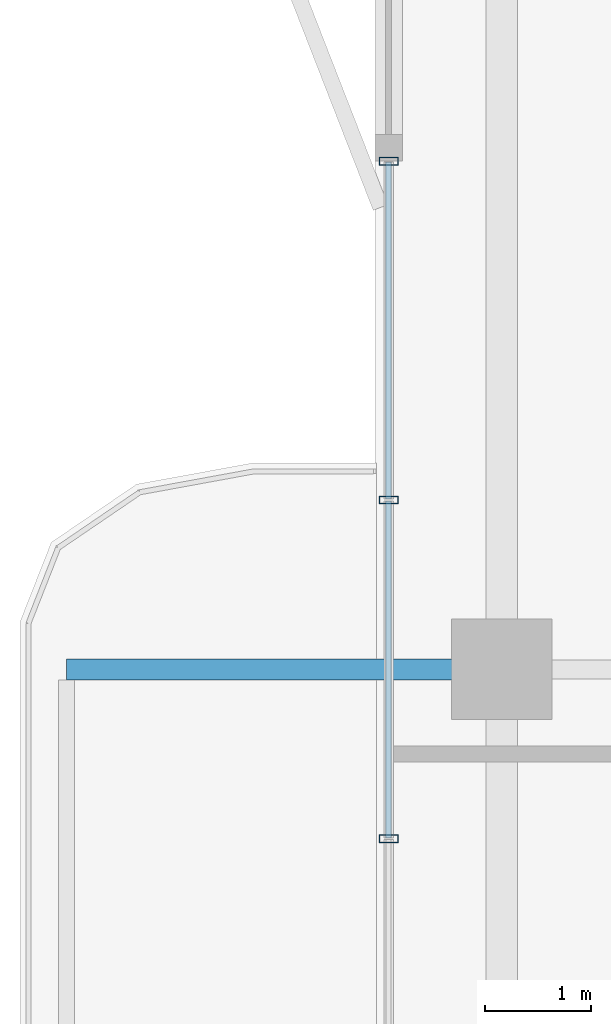
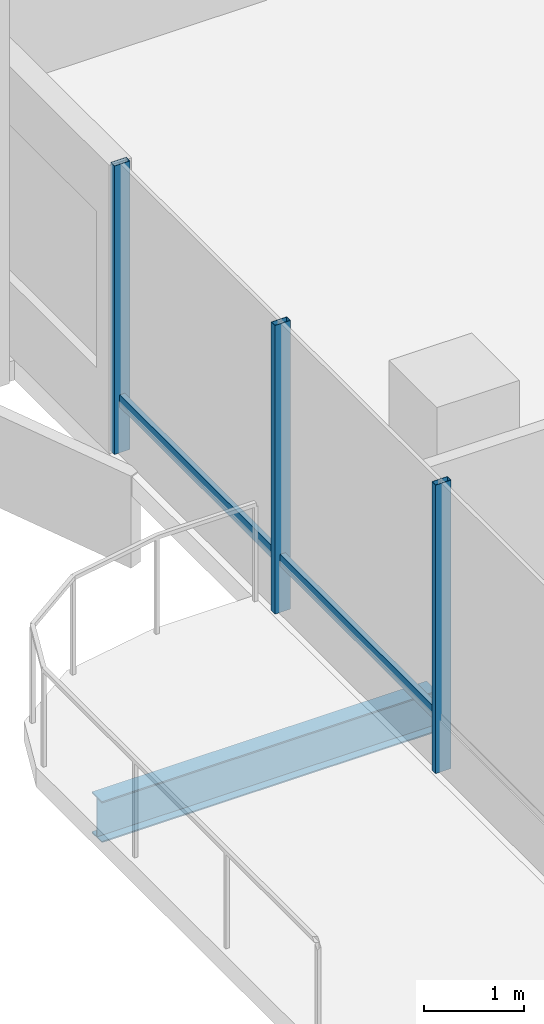
# One storey, part 7 of 20: 5 members, 1 beam, 1 element without a shape of its own.
"""IFC4 building model written with IfcOpenShell, lengths in metres."""

from ifc_helpers import new_model, si_unit, direction, frame, origin, origin_2d, place, context, subcontext, project, spatial, hollow_rectangle, i_section, extrude, material, layer, layer_set, material_profile, profile_set, type_object, element, aggregate, save


model = new_model("IFC4")

# Units and contexts
model_context = context("Model", 3, precision=1e-05, world=origin(), true_north=direction((0.0, 1.0)))
body_context = subcontext(model_context, "Body", "Model", "MODEL_VIEW")
ifc_project = project(units=[si_unit("LENGTHUNIT", "METRE"), si_unit("AREAUNIT", "SQUARE_METRE"), si_unit("VOLUMEUNIT", "CUBIC_METRE"), si_unit("PLANEANGLEUNIT", "RADIAN"), si_unit("MASSUNIT", "GRAM", prefix="KILO")], contexts=[model_context])

# Site, building, storey
site_placement = place(None, origin())
site = spatial("IfcSite", under=ifc_project, at=site_placement, CompositionType="ELEMENT")
building_placement = place(site_placement, origin())
building = spatial("IfcBuilding", under=site, at=building_placement, Name="Belovzor Exchange Tower", CompositionType="ELEMENT")
storey_placement = place(building_placement, frame((0.0, 0.0, 321.75)))
storey = spatial("IfcBuildingStorey", under=building, at=storey_placement, Name="L80", CompositionType="ELEMENT", Elevation=321.75)

# Beam
ifc_material_1 = material(Name="Steel S355", Category="steel")
ifc_material_profile_1 = material_profile(ifc_material_1, i_section(OverallWidth=0.199951171875, OverallDepth=0.5, WebThickness=0.01025390625, FlangeThickness=0.01611328125, at=origin_2d()))
ifc_profile_set_1 = profile_set([ifc_material_profile_1], Name="Steel S355")
beam_type = type_object("IfcBeamType", Name="Planted Balcony Cantilever Beam IPE 500", PredefinedType="BEAM", material=ifc_profile_set_1)
beam_placement = place(storey_placement, frame((6.93896484375, 28.800048828125, -0.489990234375), z_axis=(-1.0, 0.0, 0.0), x_axis=(0.0, -1.0, 0.0)))
element("IfcBeam", 1, at=beam_placement, inside=storey, type_object=beam_type, Name="BC-500 Planted Balcony Cantilever Beam IPE 500", PredefinedType="BEAM", context=body_context, shape_type="SweptSolid", body=[
    extrude(i_section(OverallWidth=0.199951171875, OverallDepth=0.5, WebThickness=0.01025390625, FlangeThickness=0.01611328125, at=origin_2d()), origin(), (0.0, 0.0, 1.0), 3.849853515625),
])

# Curtain wall, members
ifc_material_2 = material(Name="Anodised Aluminium Framing", Category="aluminium")
ifc_layer = layer(ifc_material_2, 0.179931640625)
ifc_layer_set = layer_set([ifc_layer], Name="Anodised Aluminium Framing")
curtain_wall_type = type_object("IfcCurtainWallType", Name="Recessed Loggia Low-Iron Triple-Glazed Curtain Wall", PredefinedType="NOTDEFINED", material=ifc_layer_set)
curtain_wall_placement = place(storey_placement, origin())
curtain_wall = element("IfcCurtainWall", 2, at=curtain_wall_placement, inside=storey, type_object=curtain_wall_type, Name="CW3 Recessed Loggia Low-Iron Triple-Glazed Curtain Wall L80", PredefinedType="NOTDEFINED")
ifc_material_3 = material(Name="Steel S355", Category="steel")
ifc_material_profile_2 = material_profile(ifc_material_3, hollow_rectangle(XDim=0.074951171875, YDim=0.179931640625, WallThickness=0.0048828125, at=origin_2d()))
ifc_profile_set_2 = profile_set([ifc_material_profile_2], Name="Steel S355")
member_type_1 = type_object("IfcMemberType", Name="Thermally Broken Curtain Wall Mullion 180x75", PredefinedType="MULLION", material=ifc_profile_set_2)
member_1_placement = place(storey_placement, frame((6.1298828125, 27.199951171875, 0.0), z_axis=(0.0, 0.0, 1.0), x_axis=(0.0, 1.0, 0.0)))
member_1 = element("IfcMember", 3, at=member_1_placement, type_object=member_type_1, Name="CW-M180 Curtain Wall Mullion 2", PredefinedType="MULLION", context=body_context, shape_type="SweptSolid", body=[
    extrude(hollow_rectangle(XDim=0.074951171875, YDim=0.179931640625, WallThickness=0.0048828125, at=origin_2d()), origin(), (0.0, 0.0, 1.0), 3.510009765625),
])
member_2_placement = place(storey_placement, frame((6.1298828125, 30.39990234375, 0.0), z_axis=(0.0, 0.0, 1.0), x_axis=(0.0, 1.0, 0.0)))
member_2 = element("IfcMember", 4, at=member_2_placement, type_object=member_type_1, Name="CW-M180 Curtain Wall Mullion 3", PredefinedType="MULLION", context=body_context, shape_type="SweptSolid", body=[
    extrude(hollow_rectangle(XDim=0.074951171875, YDim=0.179931640625, WallThickness=0.0048828125, at=origin_2d()), origin(), (0.0, 0.0, 1.0), 3.510009765625),
])
member_3_placement = place(storey_placement, frame((6.1298828125, 33.60009765625, 0.0), z_axis=(0.0, 0.0, 1.0), x_axis=(0.0, 1.0, 0.0)))
member_3 = element("IfcMember", 5, at=member_3_placement, type_object=member_type_1, Name="CW-M180 Curtain Wall Mullion 4", PredefinedType="MULLION", context=body_context, shape_type="SweptSolid", body=[
    extrude(hollow_rectangle(XDim=0.074951171875, YDim=0.179931640625, WallThickness=0.0048828125, at=origin_2d()), origin(), (0.0, 0.0, 1.0), 3.510009765625),
])
ifc_material_4 = material(Name="Steel S355", Category="steel")
ifc_material_profile_3 = material_profile(ifc_material_4, hollow_rectangle(XDim=0.06005859375, YDim=0.14990234375, WallThickness=0.00390625, at=origin_2d()))
ifc_profile_set_3 = profile_set([ifc_material_profile_3], Name="Steel S355")
member_type_2 = type_object("IfcMemberType", Name="Thermally Broken Curtain Wall Transom 150x60", PredefinedType="USERDEFINED", material=ifc_profile_set_3)
member_4_placement = place(storey_placement, frame((6.1298828125, 27.2080078125, 0.632080078125), z_axis=(0.0, 1.0, 0.0), x_axis=(-1.0, 0.0, 0.0)))
member_4 = element("IfcMember", 6, at=member_4_placement, type_object=member_type_2, Name="CW-T150 Curtain Wall Transom 2", ObjectType="TRANSOM", PredefinedType="USERDEFINED", context=body_context, shape_type="SweptSolid", body=[
    extrude(hollow_rectangle(XDim=0.06005859375, YDim=0.14990234375, WallThickness=0.00390625, at=origin_2d()), origin(), (0.0, 0.0, 1.0), 3.18408203125),
])
member_5_placement = place(storey_placement, frame((6.1298828125, 30.407958984375, 0.632080078125), z_axis=(0.0, 1.0, 0.0), x_axis=(-1.0, 0.0, 0.0)))
member_5 = element("IfcMember", 7, at=member_5_placement, type_object=member_type_2, Name="CW-T150 Curtain Wall Transom 3", ObjectType="TRANSOM", PredefinedType="USERDEFINED", context=body_context, shape_type="SweptSolid", body=[
    extrude(hollow_rectangle(XDim=0.06005859375, YDim=0.14990234375, WallThickness=0.00390625, at=origin_2d()), origin(), (0.0, 0.0, 1.0), 3.18408203125),
])
aggregate(curtain_wall, [member_1, member_2, member_3, member_4, member_5])

save(model, "model.ifc")
